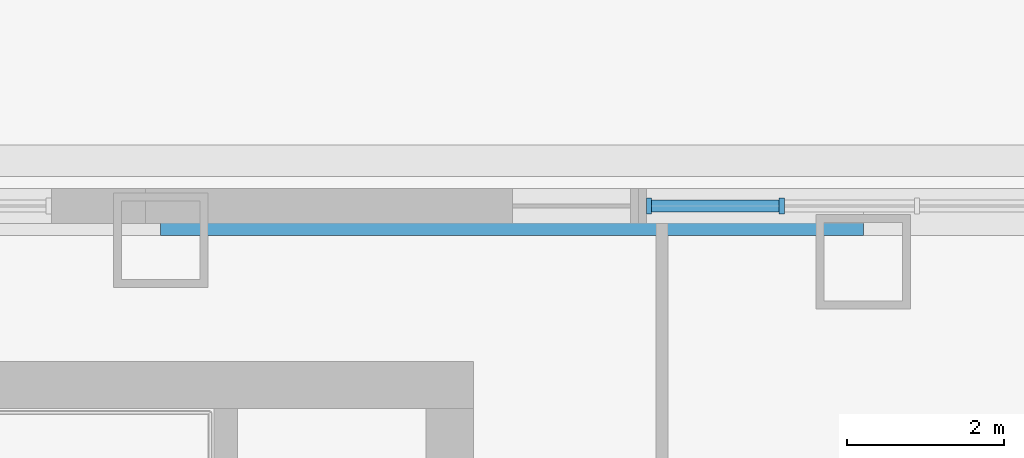
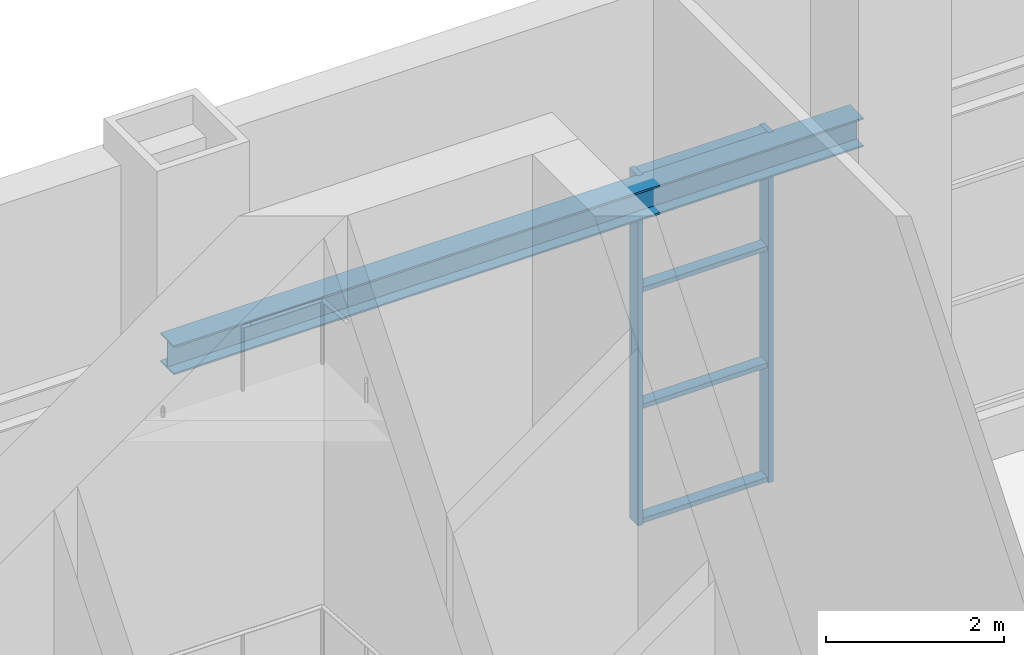
# One storey, part 10 of 34: 6 members, 1 beam, 1 element without a shape of its own.
"""IFC4 building model written with IfcOpenShell, lengths in metres."""

import ifcopenshell
import ifcopenshell.guid

model = None  # the IFC model being written
_history = None  # IfcOwnerHistory: only IFC2X3 demands one
_inside = {}  # id of a spatial element -> (the spatial element, [elements in it])
_under = {}  # id of a project, library or spatial element -> (it, [spatial elements below it])
_declared = {}  # id of a project -> (the project, [libraries it declares])
_typed = {}  # id of a type object -> (the type object, [elements of that type])
_made_of = {}  # id of a material, layer set ... -> (it, [elements and type objects made of it])


def new_model(schema):
    """Start an empty IFC model of exactly this schema.

    Asked for "IFC4X3", IfcOpenShell would pick the latest addendum, in which some entities
    have other attributes; the version numbers below select the first issue.
    IFC2X3 requires an IfcOwnerHistory on every rooted entity: one is made here for all.
    """
    global model, _history
    if schema == "IFC4X3":
        model = ifcopenshell.file(schema_version=(4, 3, 0, 0))
    else:
        model = ifcopenshell.file(schema=schema)
    _inside.clear()
    _under.clear()
    _declared.clear()
    _typed.clear()
    _made_of.clear()
    _history = None
    if model.schema == "IFC2X3":
        org = make("IfcOrganization", Name="unknown")
        user = make(
            "IfcPersonAndOrganization",
            ThePerson=make("IfcPerson", FamilyName="unknown"),
            TheOrganization=org,
        )
        app = make(
            "IfcApplication",
            ApplicationDeveloper=org,
            Version="unknown",
            ApplicationFullName="unknown",
            ApplicationIdentifier="unknown",
        )
        _history = make(
            "IfcOwnerHistory",
            OwningUser=user,
            OwningApplication=app,
            ChangeAction="ADDED",
            CreationDate=0,
        )
    return model


def make(cls, **values):
    """One entity of the class cls with the attributes given. An attribute that is None is left unset."""
    return model.create_entity(
        cls, **{name: value for name, value in values.items() if value is not None}
    )


def rooted(cls, **values):
    """An entity with a GlobalId (a new one), such as an element, a storey or a relation."""
    return make(cls, GlobalId=ifcopenshell.guid.new(), OwnerHistory=_history, **values)


def si_unit(unit_type, name, prefix=None):
    """IfcSIUnit, for example si_unit("LENGTHUNIT", "METRE", prefix="MILLI")."""
    return make("IfcSIUnit", UnitType=unit_type, Prefix=prefix, Name=name)


def assignment(units):
    """IfcUnitAssignment: the units of a project."""
    return None if units is None else make("IfcUnitAssignment", Units=units)


def point(xyz):
    """IfcCartesianPoint."""
    return None if xyz is None else make("IfcCartesianPoint", Coordinates=xyz)


def direction(xyz):
    """IfcDirection."""
    return None if xyz is None else make("IfcDirection", DirectionRatios=xyz)


def frame(location, z_axis=None, x_axis=None):
    """IfcAxis2Placement3D, a coordinate frame: its origin and axes. An axis left out is left unset."""
    return make(
        "IfcAxis2Placement3D",
        Location=point(location),
        Axis=direction(z_axis),
        RefDirection=direction(x_axis),
    )


def frame_2d(location, x_axis=None):
    """IfcAxis2Placement2D, a coordinate frame in the plane: its origin and x axis."""
    return make(
        "IfcAxis2Placement2D", Location=point(location), RefDirection=direction(x_axis)
    )


def origin():
    """The frame at (0, 0, 0) with its axes left unset."""
    return frame((0.0, 0.0, 0.0))


def origin_2d():
    """The frame at (0, 0) in the plane with its x axis left unset."""
    return frame_2d((0.0, 0.0))


def place(relative_to, where):
    """IfcLocalPlacement: puts the frame where relative to a parent placement (None: the world)."""
    return make(
        "IfcLocalPlacement", PlacementRelTo=relative_to, RelativePlacement=where
    )


def context(
    kind, dimensions, precision=None, world=None, true_north=None, identifier=None
):
    """IfcGeometricRepresentationContext, for example the 3D "Model" context."""
    return make(
        "IfcGeometricRepresentationContext",
        ContextIdentifier=identifier,
        ContextType=kind,
        CoordinateSpaceDimension=dimensions,
        Precision=precision,
        WorldCoordinateSystem=world,
        TrueNorth=true_north,
    )


def subcontext(parent, identifier, kind, view, scale=None):
    """IfcGeometricRepresentationSubContext, for example "Body" below "Model"."""
    return make(
        "IfcGeometricRepresentationSubContext",
        ContextIdentifier=identifier,
        ContextType=kind,
        ParentContext=parent,
        TargetScale=scale,
        TargetView=view,
    )


def project(units=None, contexts=None):
    """IfcProject with its units and contexts."""
    return rooted(
        "IfcProject",
        Name="project",
        RepresentationContexts=contexts,
        UnitsInContext=assignment(units),
    )


def spatial(cls, under=None, at=None, **own):
    """A site, building, storey or space (cls), placed at a placement, below another one or the project."""
    s = rooted(cls, ObjectPlacement=at, **own)
    if under is not None:
        _under.setdefault(under.id(), (under, []))[1].append(s)
    return s


def profile(cls, at=None, kind="AREA", **sizes):
    """A parametric profile (cls). Its sizes go by their IFC names, for example OverallWidth=200.0."""
    return make(cls, ProfileType=kind, Position=at, **sizes)


def rectangle(**sizes):
    """IfcRectangleProfileDef."""
    return profile("IfcRectangleProfileDef", **sizes)


def i_section(**sizes):
    """IfcIShapeProfileDef."""
    return profile("IfcIShapeProfileDef", **sizes)


def extrude(swept, where, along, depth):
    """IfcExtrudedAreaSolid: the profile swept, set in the frame where, extruded along a direction by depth."""
    return make(
        "IfcExtrudedAreaSolid",
        SweptArea=swept,
        Position=where,
        ExtrudedDirection=direction(along),
        Depth=depth,
    )


def shape(context_of_items, identifier, shape_type, items):
    """IfcShapeRepresentation: the items that make up one representation, for example the "Body"."""
    return make(
        "IfcShapeRepresentation",
        ContextOfItems=context_of_items,
        RepresentationIdentifier=identifier,
        RepresentationType=shape_type,
        Items=items,
    )


def material(Name=None, Category=None):
    """IfcMaterial."""
    return make("IfcMaterial", Name=Name, Category=Category)


def layer(
    of_material, thickness, ventilated=None, Name=None, Category=None, Priority=None
):
    """IfcMaterialLayer: one layer of a wall or slab, of a material (None: an air gap)."""
    return make(
        "IfcMaterialLayer",
        Material=of_material,
        LayerThickness=thickness,
        IsVentilated=ventilated,
        Name=Name,
        Category=Category,
        Priority=Priority,
    )


def layer_set(layers, Name=None):
    """IfcMaterialLayerSet."""
    return make("IfcMaterialLayerSet", MaterialLayers=layers, LayerSetName=Name)


def material_profile(
    of_material, cross_section, Name=None, Category=None, Priority=None
):
    """IfcMaterialProfile: a cross section and its material."""
    return make(
        "IfcMaterialProfile",
        Name=Name,
        Material=of_material,
        Profile=cross_section,
        Priority=Priority,
        Category=Category,
    )


def profile_set(profiles, Name=None, composite=None):
    """IfcMaterialProfileSet."""
    return make(
        "IfcMaterialProfileSet",
        Name=Name,
        MaterialProfiles=profiles,
        CompositeProfile=composite,
    )


def made_of(thing, what):
    """Note that an element or type object is made of a material, layer set ...; save() writes the relation."""
    if what is not None:
        _made_of.setdefault(what.id(), (what, []))[1].append(thing)
    return thing


def type_object(cls, material=None, **own):
    """A type object (cls), such as IfcWallType, which elements share."""
    return made_of(rooted(cls, **own), material)


def element(
    cls,
    number,
    at=None,
    inside=None,
    cuts=None,
    type_object=None,
    material=None,
    context=None,
    identifier="Body",
    shape_type=None,
    held_by="IfcProductDefinitionShape",
    body=None,
    shapes=None,
    **own,
):
    """One element of the class cls, such as IfcWall. Its Tag is "e" and its number.

    at: its placement. inside: the storey or other place that contains it. cuts: it is an
    opening in that element (IfcRelVoidsElement). A single representation is given by context,
    identifier, shape_type and body (its items); several are given by shapes. held_by: the class
    of the entity that holds the representations. save() writes the other relations.
    """
    e = rooted(cls, Tag="e%d" % number, ObjectPlacement=at, **own)
    if body is not None:
        shapes = [shape(context, identifier, shape_type, body)]
    if shapes is not None:
        e.Representation = make(held_by, Representations=shapes)
    if inside is not None:
        _inside.setdefault(inside.id(), (inside, []))[1].append(e)
    if cuts is not None:
        rooted(
            "IfcRelVoidsElement", RelatingBuildingElement=cuts, RelatedOpeningElement=e
        )
    if type_object is not None:
        _typed.setdefault(type_object.id(), (type_object, []))[1].append(e)
    return made_of(e, material)


def aggregate(whole, parts):
    """IfcRelAggregates: a whole, such as a stair, and the parts it consists of."""
    return rooted("IfcRelAggregates", RelatingObject=whole, RelatedObjects=parts)


def save(model, path):
    """Write the relations noted so far, then the file.

    IfcRelAggregates (storeys below a building ...), IfcRelContainedInSpatialStructure (elements
    in a storey), IfcRelDefinesByType, IfcRelAssociatesMaterial and IfcRelDeclares: one each for
    every whole, place, type object, material and project.
    """
    for whole, parts in _under.values():
        aggregate(whole, parts)
    for where, things in _inside.values():
        rooted(
            "IfcRelContainedInSpatialStructure",
            RelatedElements=things,
            RelatingStructure=where,
        )
    for kind, things in _typed.values():
        rooted("IfcRelDefinesByType", RelatedObjects=things, RelatingType=kind)
    for what, things in _made_of.values():
        rooted("IfcRelAssociatesMaterial", RelatedObjects=things, RelatingMaterial=what)
    for by, libraries in _declared.values():
        rooted("IfcRelDeclares", RelatingContext=by, RelatedDefinitions=libraries)
    model.write(path)


model = new_model("IFC4")

# Units and contexts
model_context = context("Model", 3, precision=1e-05, world=origin(), true_north=direction((0.0, 1.0)))
body_context = subcontext(model_context, "Body", "Model", "MODEL_VIEW")
ifc_project = project(units=[si_unit("LENGTHUNIT", "METRE"), si_unit("AREAUNIT", "SQUARE_METRE"), si_unit("VOLUMEUNIT", "CUBIC_METRE"), si_unit("PLANEANGLEUNIT", "RADIAN"), si_unit("MASSUNIT", "GRAM", prefix="KILO")], contexts=[model_context])

# Site, building, storey
site_placement = place(None, origin())
site = spatial("IfcSite", under=ifc_project, at=site_placement, CompositionType="ELEMENT")
building_placement = place(site_placement, origin())
building = spatial("IfcBuilding", under=site, at=building_placement, Name="Njiva Tower", CompositionType="ELEMENT")
storey_placement = place(building_placement, origin())
storey = spatial("IfcBuildingStorey", under=building, at=storey_placement, Name="L00", CompositionType="ELEMENT", Elevation=0.0)

# Beam
ifc_material_1 = material(Name="Steel S355 J2", Category="steel")
ifc_material_profile_1 = material_profile(ifc_material_1, i_section(OverallWidth=0.3, OverallDepth=0.4, WebThickness=0.0135, FlangeThickness=0.024, at=origin_2d()), Name="HEB400")
ifc_profile_set_1 = profile_set([ifc_material_profile_1], Name="Steel S355 J2")
beam_type = type_object("IfcBeamType", Name="B92 Podium lintel beam HEB 400", PredefinedType="BEAM", material=ifc_profile_set_1)
beam_placement = place(storey_placement, frame((22.461, 19.75, 5.2), z_axis=(-1.0, 0.0, 0.0), x_axis=(0.0, -1.0, 0.0)))
element("IfcBeam", 1, at=beam_placement, inside=storey, type_object=beam_type, Name="Podium lintel beam", PredefinedType="BEAM", context=body_context, shape_type="SweptSolid", body=[
    extrude(i_section(OverallWidth=0.3, OverallDepth=0.4, WebThickness=0.0135, FlangeThickness=0.024, at=origin_2d()), origin(), (0.0, 0.0, 1.0), 8.938),
])

# Curtain wall, members
ifc_material_2 = material(Name="Glazed curtain wall", Category="glass")
ifc_layer = layer(ifc_material_2, 0.2)
ifc_layer_set = layer_set([ifc_layer], Name="Glazed curtain wall")
curtain_wall_type = type_object("IfcCurtainWallType", Name="CW1 Shopfront glazing", PredefinedType="NOTDEFINED", material=ifc_layer_set)
curtain_wall_placement = place(storey_placement, origin())
curtain_wall = element("IfcCurtainWall", 2, at=curtain_wall_placement, inside=storey, type_object=curtain_wall_type, Name="Shopfront N3", PredefinedType="NOTDEFINED")
ifc_material_3 = material(Name="Aluminium mullion", Category="aluminium")
ifc_material_profile_2 = material_profile(ifc_material_3, rectangle(XDim=0.2, YDim=0.065, at=origin_2d()), Name="RECT 200x65")
ifc_profile_set_2 = profile_set([ifc_material_profile_2], Name="Aluminium mullion")
member_type_1 = type_object("IfcMemberType", Name="CW1-M Shopfront mullion 200x65", PredefinedType="MULLION", material=ifc_profile_set_2)
member_1_placement = place(storey_placement, frame((21.4222, 19.975, 0.6), z_axis=(0.0, 0.0, 1.0), x_axis=(0.0, -1.0, 0.0)))
member_1 = element("IfcMember", 3, at=member_1_placement, type_object=member_type_1, Name="CW1-N3 mullion 3", PredefinedType="MULLION", context=body_context, shape_type="SweptSolid", body=[
    extrude(rectangle(XDim=0.2, YDim=0.065, at=origin_2d()), origin(), (0.0, 0.0, 1.0), 4.8),
])
member_2_placement = place(storey_placement, frame((19.7325, 19.975, 0.6), z_axis=(0.0, 0.0, 1.0), x_axis=(0.0, -1.0, 0.0)))
member_2 = element("IfcMember", 4, at=member_2_placement, type_object=member_type_1, Name="CW1-N3 mullion 4", PredefinedType="MULLION", context=body_context, shape_type="SweptSolid", body=[
    extrude(rectangle(XDim=0.2, YDim=0.065, at=origin_2d()), origin(), (0.0, 0.0, 1.0), 4.8),
])
ifc_material_4 = material(Name="Aluminium transom", Category="aluminium")
ifc_material_profile_3 = material_profile(ifc_material_4, rectangle(XDim=0.15, YDim=0.065, at=origin_2d()), Name="RECT 150x65")
ifc_profile_set_3 = profile_set([ifc_material_profile_3], Name="Aluminium transom")
member_type_2 = type_object("IfcMemberType", Name="CW1-T Shopfront transom 150x65", PredefinedType="USERDEFINED", material=ifc_profile_set_3)
member_3_placement = place(storey_placement, frame((21.3897, 19.975, 0.6325), z_axis=(-1.0, 0.0, 0.0), x_axis=(0.0, -1.0, 0.0)))
member_3 = element("IfcMember", 5, at=member_3_placement, type_object=member_type_2, Name="CW1-N3 transom 3.1", ObjectType="TRANSOM", PredefinedType="USERDEFINED", context=body_context, shape_type="SweptSolid", body=[
    extrude(rectangle(XDim=0.15, YDim=0.065, at=origin_2d()), origin(), (0.0, 0.0, 1.0), 1.6247),
])
member_4_placement = place(storey_placement, frame((21.3897, 19.975, 2.2), z_axis=(-1.0, 0.0, 0.0), x_axis=(0.0, -1.0, 0.0)))
member_4 = element("IfcMember", 6, at=member_4_placement, type_object=member_type_2, Name="CW1-N3 transom 3.2", ObjectType="TRANSOM", PredefinedType="USERDEFINED", context=body_context, shape_type="SweptSolid", body=[
    extrude(rectangle(XDim=0.15, YDim=0.065, at=origin_2d()), origin(), (0.0, 0.0, 1.0), 1.6247),
])
member_5_placement = place(storey_placement, frame((21.3897, 19.975, 3.8), z_axis=(-1.0, 0.0, 0.0), x_axis=(0.0, -1.0, 0.0)))
member_5 = element("IfcMember", 7, at=member_5_placement, type_object=member_type_2, Name="CW1-N3 transom 3.3", ObjectType="TRANSOM", PredefinedType="USERDEFINED", context=body_context, shape_type="SweptSolid", body=[
    extrude(rectangle(XDim=0.15, YDim=0.065, at=origin_2d()), origin(), (0.0, 0.0, 1.0), 1.6247),
])
member_6_placement = place(storey_placement, frame((21.3897, 19.975, 5.3675), z_axis=(-1.0, 0.0, 0.0), x_axis=(0.0, -1.0, 0.0)))
member_6 = element("IfcMember", 8, at=member_6_placement, type_object=member_type_2, Name="CW1-N3 transom 3.4", ObjectType="TRANSOM", PredefinedType="USERDEFINED", context=body_context, shape_type="SweptSolid", body=[
    extrude(rectangle(XDim=0.15, YDim=0.065, at=origin_2d()), origin(), (0.0, 0.0, 1.0), 1.6247),
])
aggregate(curtain_wall, [member_1, member_2, member_3, member_4, member_5, member_6])

save(model, "model.ifc")
